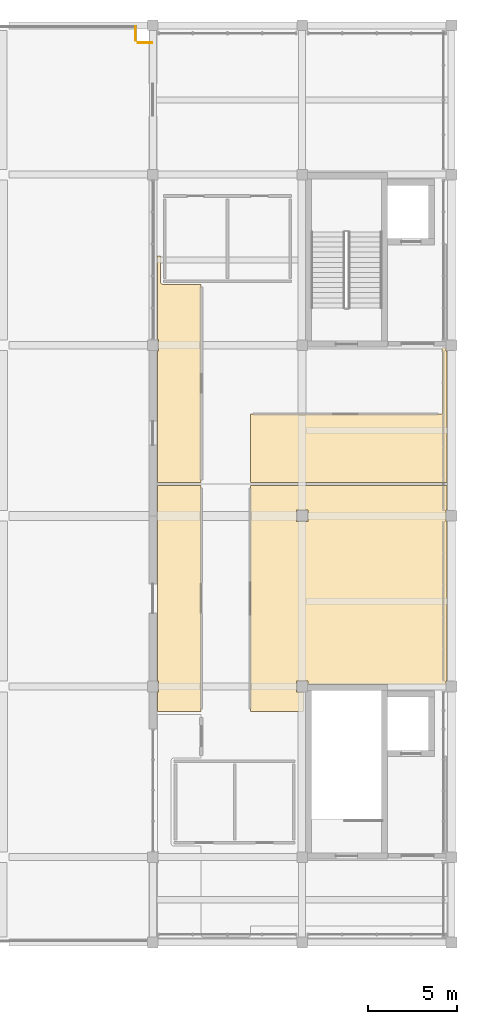
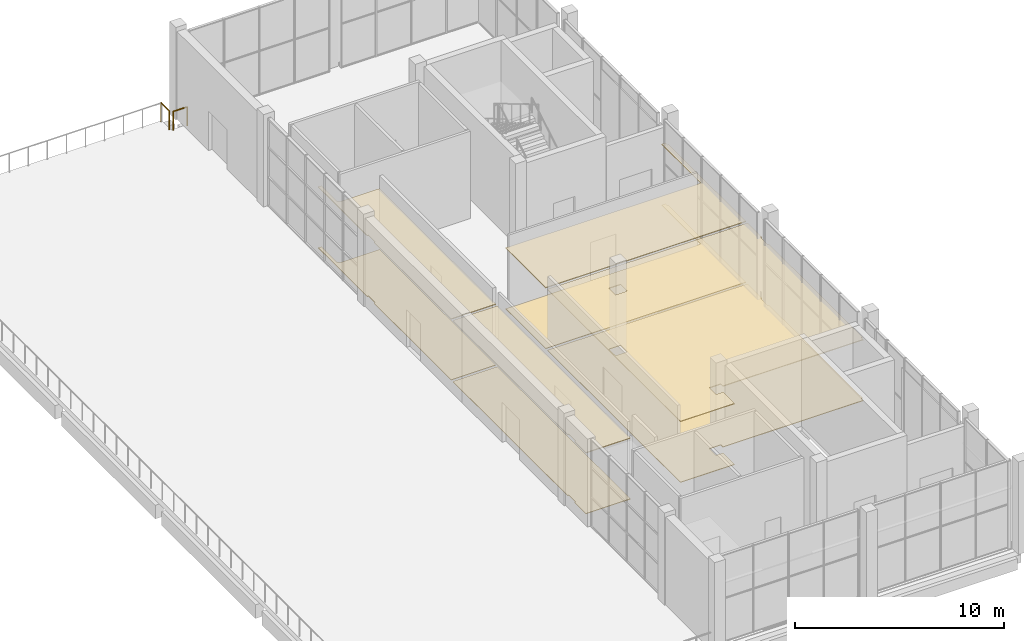
# One storey, part 14 of 15: 8 coverings, 2 railings.
"""IFC4 building model written with IfcOpenShell, lengths in metres."""

from ifc_helpers import new_model, si_unit, direction, frame, origin, origin_2d, place, context, subcontext, project, spatial, polyline, circle, outline, extrude, material, layer, layer_set, type_object, element, save


model = new_model("IFC4")

# Units and contexts
model_context = context("Model", 3, precision=1e-05, world=origin(), true_north=direction((0.0, 1.0)))
body_context = subcontext(model_context, "Body", "Model", "MODEL_VIEW")
ifc_project = project(units=[si_unit("LENGTHUNIT", "METRE"), si_unit("AREAUNIT", "SQUARE_METRE"), si_unit("VOLUMEUNIT", "CUBIC_METRE"), si_unit("PLANEANGLEUNIT", "RADIAN"), si_unit("MASSUNIT", "GRAM", prefix="KILO")], contexts=[model_context])

# Site, building, storey
site_placement = place(None, origin())
site = spatial("IfcSite", under=ifc_project, at=site_placement, CompositionType="ELEMENT")
building_placement = place(site_placement, origin())
building = spatial("IfcBuilding", under=site, at=building_placement, Name="Shalvenor Court Art Gallery", CompositionType="ELEMENT")
storey_placement = place(building_placement, frame((0.0, 0.0, 27.0)))
storey = spatial("IfcBuildingStorey", under=building, at=storey_placement, Name="L05", CompositionType="ELEMENT", Elevation=27.0)

# Coverings
ifc_material_1 = material(Name="Perforated acoustic gypsum gallery ceiling", Category="other")
ifc_layer_1 = layer(ifc_material_1, 0.044921875, Name="Perforated acoustic gypsum gallery ceiling")
ifc_layer_set_1 = layer_set([ifc_layer_1], Name="Perforated acoustic gypsum gallery ceiling")
covering_type_1 = type_object("IfcCoveringType", Name="CLG-01", PredefinedType="CEILING", material=ifc_layer_set_1)
covering_1_placement = place(storey_placement, frame((0.0, 0.0, 3.550048828125)))
element("IfcCovering", 1, at=covering_1_placement, inside=storey, type_object=covering_type_1, Name="L05 Photography Exhibition Gallery Acoustic Ceiling", PredefinedType="CEILING", context=body_context, shape_type="SweptSolid", body=[
    extrude(outline(polyline([(176.06396484375, 60.110595703125), (176.04296875, 60.11572265625), (176.021484375, 60.118896484375), (176.0, 60.1201171875), (168.320068359375, 60.1201171875), (168.320068359375, 60.320068359375), (167.679931640625, 60.320068359375), (167.679931640625, 59.679931640625), (168.080078125, 59.679931640625), (168.080078125, 58.580078125), (165.080078125, 58.580078125), (165.080078125, 71.320068359375), (176.14990234375, 71.320068359375), (176.14990234375, 69.919921875), (176.080078125, 69.919921875), (176.080078125, 69.280029296875), (176.14990234375, 69.280029296875), (176.14990234375, 60.320068359375), (176.080078125, 60.320068359375), (176.080078125, 60.104736328125), (176.06396484375, 60.110595703125)]), holes=[polyline([(168.320068359375, 69.280029296875), (168.320068359375, 69.919921875), (167.679931640625, 69.919921875), (167.679931640625, 69.280029296875), (168.320068359375, 69.280029296875)])]), origin(), (0.0, 0.0, 1.0), 0.044921875),
])
covering_2_placement = place(storey_placement, frame((0.0, 0.0, 3.550048828125)))
element("IfcCovering", 2, at=covering_2_placement, inside=storey, type_object=covering_type_1, Name="L05 Photography Exhibition Gallery Wing B Acoustic Ceiling", PredefinedType="CEILING", context=body_context, shape_type="SweptSolid", body=[
    extrude(outline(polyline([(162.320068359375, 71.320068359375), (162.320068359375, 58.580078125), (159.85009765625, 58.580078125), (159.85009765625, 59.679931640625), (159.919921875, 59.679931640625), (159.919921875, 60.320068359375), (159.85009765625, 60.320068359375), (159.85009765625, 71.320068359375), (162.320068359375, 71.320068359375)])), origin(), (0.0, 0.0, 1.0), 0.044921875),
])
ifc_material_2 = material(Name="Acoustic hinoki timber slat ceiling", Category="wood")
ifc_layer_2 = layer(ifc_material_2, 0.054931640625, Name="Acoustic hinoki timber slat ceiling")
ifc_layer_set_2 = layer_set([ifc_layer_2], Name="Acoustic hinoki timber slat ceiling")
covering_type_2 = type_object("IfcCoveringType", Name="CLG-02", PredefinedType="CEILING", material=ifc_layer_set_2)
covering_3_placement = place(storey_placement, frame((0.0, 0.0, 3.550048828125)))
element("IfcCovering", 3, at=covering_3_placement, inside=storey, type_object=covering_type_2, Name="L05 Print Study Cabinet Acoustic Ceiling", PredefinedType="CEILING", context=body_context, shape_type="SweptSolid", body=[
    extrude(outline(polyline([(176.04296875, 79.084228515625), (176.06396484375, 79.089599609375), (176.080078125, 79.09521484375), (176.080078125, 78.8798828125), (176.14990234375, 78.8798828125), (176.14990234375, 71.47998046875), (165.080078125, 71.47998046875), (165.080078125, 75.320068359375), (175.800048828125, 75.320068359375), (175.807861328125, 75.3203125), (175.815673828125, 75.321533203125), (175.8232421875, 75.323486328125), (175.83056640625, 75.326171875), (175.837646484375, 75.329345703125), (175.844482421875, 75.33349609375), (175.850830078125, 75.338134765625), (175.856689453125, 75.343505859375), (175.86181640625, 75.34912109375), (175.866455078125, 75.355712890625), (175.87060546875, 75.3623046875), (175.873779296875, 75.369384765625), (175.876708984375, 75.376708984375), (175.87841796875, 75.384521484375), (175.879638671875, 75.39208984375), (175.8798828125, 75.39990234375), (175.8798828125, 79.080078125), (176.0, 79.080078125), (176.021484375, 79.0810546875), (176.04296875, 79.084228515625)])), origin(), (0.0, 0.0, 1.0), 0.044921875),
])
covering_4_placement = place(storey_placement, frame((0.0, 0.0, 3.550048828125)))
element("IfcCovering", 4, at=covering_4_placement, inside=storey, type_object=covering_type_2, Name="L05 Print Study Cabinet Wing B Acoustic Ceiling", PredefinedType="CEILING", context=body_context, shape_type="SweptSolid", body=[
    extrude(outline(polyline([(160.02001953125, 84.219970703125), (160.02001953125, 82.800048828125), (160.02099609375, 82.782470703125), (160.0234375, 82.764892578125), (160.02783203125, 82.747802734375), (160.03369140625, 82.731201171875), (160.041259765625, 82.715087890625), (160.05029296875, 82.699951171875), (160.060791015625, 82.685791015625), (160.07275390625, 82.672607421875), (160.085693359375, 82.660888671875), (160.10009765625, 82.650390625), (160.114990234375, 82.641357421875), (160.131103515625, 82.6337890625), (160.147705078125, 82.627685546875), (160.164794921875, 82.62353515625), (160.182373046875, 82.620849609375), (160.199951171875, 82.6201171875), (162.320068359375, 82.6201171875), (162.320068359375, 71.47998046875), (159.85009765625, 71.47998046875), (159.85009765625, 78.8798828125), (159.919921875, 78.8798828125), (159.919921875, 79.52001953125), (159.85009765625, 79.52001953125), (159.85009765625, 84.219970703125), (160.02001953125, 84.219970703125)])), origin(), (0.0, 0.0, 1.0), 0.044921875),
])
ifc_material_3 = material(Name="Quarter-sawn white oak gallery flooring", Category="wood")
ifc_layer_3 = layer(ifc_material_3, 0.031982421875, Name="Quarter-sawn white oak gallery flooring")
ifc_layer_set_3 = layer_set([ifc_layer_3], Name="Quarter-sawn white oak gallery flooring")
covering_type_3 = type_object("IfcCoveringType", Name="FLR-02", PredefinedType="FLOORING", material=ifc_layer_set_3)
covering_5_placement = place(storey_placement, origin())
element("IfcCovering", 5, at=covering_5_placement, inside=storey, type_object=covering_type_3, Name="L05 Photography Exhibition Gallery Flooring", PredefinedType="FLOORING", context=body_context, shape_type="SweptSolid", body=[
    extrude(outline(polyline([(176.06396484375, 60.110595703125), (176.04296875, 60.11572265625), (176.021484375, 60.118896484375), (176.0, 60.1201171875), (168.320068359375, 60.1201171875), (168.320068359375, 60.320068359375), (167.679931640625, 60.320068359375), (167.679931640625, 59.679931640625), (168.080078125, 59.679931640625), (168.080078125, 58.580078125), (165.080078125, 58.580078125), (165.080078125, 71.320068359375), (176.14990234375, 71.320068359375), (176.14990234375, 69.919921875), (176.080078125, 69.919921875), (176.080078125, 69.280029296875), (176.14990234375, 69.280029296875), (176.14990234375, 60.320068359375), (176.080078125, 60.320068359375), (176.080078125, 60.104736328125), (176.06396484375, 60.110595703125)]), holes=[polyline([(168.320068359375, 69.280029296875), (168.320068359375, 69.919921875), (167.679931640625, 69.919921875), (167.679931640625, 69.280029296875), (168.320068359375, 69.280029296875)])]), origin(), (0.0, 0.0, 1.0), 0.031982421875),
])
covering_6_placement = place(storey_placement, origin())
element("IfcCovering", 6, at=covering_6_placement, inside=storey, type_object=covering_type_3, Name="L05 Photography Exhibition Gallery Wing B Flooring", PredefinedType="FLOORING", context=body_context, shape_type="SweptSolid", body=[
    extrude(outline(polyline([(162.320068359375, 71.320068359375), (162.320068359375, 58.580078125), (159.85009765625, 58.580078125), (159.85009765625, 59.679931640625), (159.919921875, 59.679931640625), (159.919921875, 60.320068359375), (159.85009765625, 60.320068359375), (159.85009765625, 71.320068359375), (162.320068359375, 71.320068359375)])), origin(), (0.0, 0.0, 1.0), 0.031982421875),
])
covering_7_placement = place(storey_placement, origin())
element("IfcCovering", 7, at=covering_7_placement, inside=storey, type_object=covering_type_3, Name="L05 Print Study Cabinet Flooring", PredefinedType="FLOORING", context=body_context, shape_type="SweptSolid", body=[
    extrude(outline(polyline([(176.04296875, 79.084228515625), (176.06396484375, 79.089599609375), (176.080078125, 79.09521484375), (176.080078125, 78.8798828125), (176.14990234375, 78.8798828125), (176.14990234375, 71.47998046875), (165.080078125, 71.47998046875), (165.080078125, 75.320068359375), (175.800048828125, 75.320068359375), (175.807861328125, 75.3203125), (175.815673828125, 75.321533203125), (175.8232421875, 75.323486328125), (175.83056640625, 75.326171875), (175.837646484375, 75.329345703125), (175.844482421875, 75.33349609375), (175.850830078125, 75.338134765625), (175.856689453125, 75.343505859375), (175.86181640625, 75.34912109375), (175.866455078125, 75.355712890625), (175.87060546875, 75.3623046875), (175.873779296875, 75.369384765625), (175.876708984375, 75.376708984375), (175.87841796875, 75.384521484375), (175.879638671875, 75.39208984375), (175.8798828125, 75.39990234375), (175.8798828125, 79.080078125), (176.0, 79.080078125), (176.021484375, 79.0810546875), (176.04296875, 79.084228515625)])), origin(), (0.0, 0.0, 1.0), 0.031982421875),
])
covering_8_placement = place(storey_placement, origin())
element("IfcCovering", 8, at=covering_8_placement, inside=storey, type_object=covering_type_3, Name="L05 Print Study Cabinet Wing B Flooring", PredefinedType="FLOORING", context=body_context, shape_type="SweptSolid", body=[
    extrude(outline(polyline([(160.02001953125, 84.219970703125), (160.02001953125, 82.800048828125), (160.02099609375, 82.782470703125), (160.0234375, 82.764892578125), (160.02783203125, 82.747802734375), (160.03369140625, 82.731201171875), (160.041259765625, 82.715087890625), (160.05029296875, 82.699951171875), (160.060791015625, 82.685791015625), (160.07275390625, 82.672607421875), (160.085693359375, 82.660888671875), (160.10009765625, 82.650390625), (160.114990234375, 82.641357421875), (160.131103515625, 82.6337890625), (160.147705078125, 82.627685546875), (160.164794921875, 82.62353515625), (160.182373046875, 82.620849609375), (160.199951171875, 82.6201171875), (162.320068359375, 82.6201171875), (162.320068359375, 71.47998046875), (159.85009765625, 71.47998046875), (159.85009765625, 78.8798828125), (159.919921875, 78.8798828125), (159.919921875, 79.52001953125), (159.85009765625, 79.52001953125), (159.85009765625, 84.219970703125), (160.02001953125, 84.219970703125)])), origin(), (0.0, 0.0, 1.0), 0.031982421875),
])

# Railings
ifc_material_4 = material(Name="Stainless steel and laminated glass balustrade", Category="steel")
railing_type = type_object("IfcRailingType", Name="GR-01", PredefinedType="BALUSTRADE", material=ifc_material_4)
railing_1_placement = place(storey_placement, frame((158.6201171875, 97.139892578125, 0.0)))
element("IfcRailing", 9, at=railing_1_placement, inside=storey, type_object=railing_type, Name="L05 V1 Terrace Balustrade 9", PredefinedType="BALUSTRADE", context=body_context, shape_type="SweptSolid", body=[
    extrude(circle(Radius=0.02392578125, at=origin_2d()), frame((0.0, 0.0, 1.09619140625), z_axis=(0.0, -1.0, 0.0), x_axis=(1.0, 0.0, 0.0)), (0.0, 0.0, 1.0), 0.77978515625),
    extrude(circle(Radius=0.02099609375, at=origin_2d()), origin(), (0.0, 0.0, 1.0), 1.072021484375),
    extrude(circle(Radius=0.02099609375, at=origin_2d()), frame((0.0, -0.77978515625, 0.0)), (0.0, 0.0, 1.0), 1.072021484375),
])
railing_2_placement = place(storey_placement, frame((158.760009765625, 96.219970703125, 0.0)))
element("IfcRailing", 10, at=railing_2_placement, inside=storey, type_object=railing_type, Name="L05 V1 Terrace Balustrade 10", PredefinedType="BALUSTRADE", context=body_context, shape_type="SweptSolid", body=[
    extrude(circle(Radius=0.02392578125, at=origin_2d()), frame((0.0, 0.0, 1.09619140625), z_axis=(1.0, 0.0, 0.0), x_axis=(0.0, 1.0, 0.0)), (0.0, 0.0, 1.0), 0.780029296875),
    extrude(circle(Radius=0.02099609375, at=origin_2d()), origin(), (0.0, 0.0, 1.0), 1.072021484375),
    extrude(circle(Radius=0.02099609375, at=origin_2d()), frame((0.780029296875, 0.0, 0.0)), (0.0, 0.0, 1.0), 1.072021484375),
])

save(model, "model.ifc")
